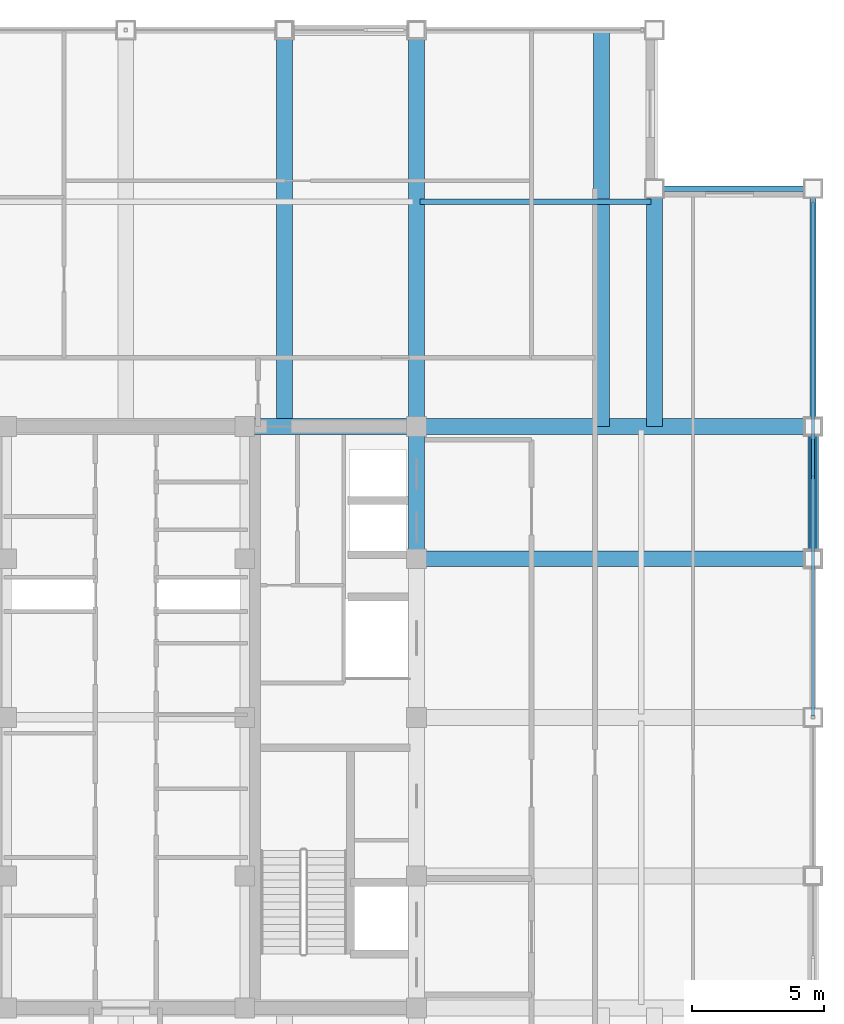
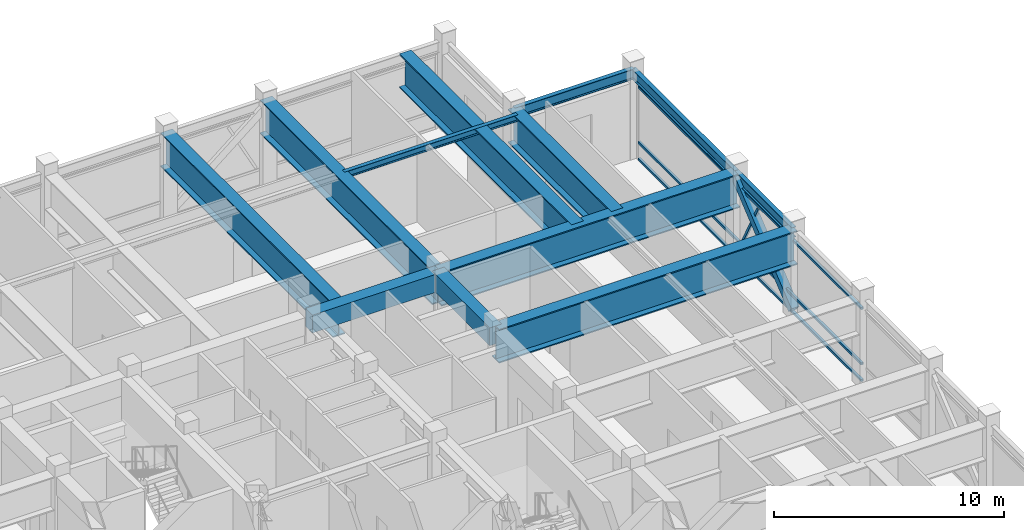
# One storey, part 19 of 29: 12 beams, 5 members, 1 element without a shape of its own.
"""IFC4 building model written with IfcOpenShell, lengths in metres."""

from ifc_helpers import new_model, si_unit, direction, frame, origin, origin_2d, place, context, subcontext, project, spatial, rectangle, hollow_rectangle, i_section, extrude, source, transform, mapped, material, material_profile, profile_set, type_object, element, aggregate, save


model = new_model("IFC4")

# Units and contexts
model_context = context("Model", 3, precision=1e-05, world=origin(), true_north=direction((0.0, 1.0)))
body_context = subcontext(model_context, "Body", "Model", "MODEL_VIEW")
ifc_project = project(units=[si_unit("LENGTHUNIT", "METRE"), si_unit("AREAUNIT", "SQUARE_METRE"), si_unit("VOLUMEUNIT", "CUBIC_METRE"), si_unit("PLANEANGLEUNIT", "RADIAN"), si_unit("MASSUNIT", "GRAM", prefix="KILO")], contexts=[model_context])

# Site, building, storey
site_placement = place(None, origin())
site = spatial("IfcSite", under=ifc_project, at=site_placement, CompositionType="ELEMENT")
building_placement = place(site_placement, origin())
building = spatial("IfcBuilding", under=site, at=building_placement, Name="Khorayat Bourse Tower", CompositionType="ELEMENT")
storey_placement = place(building_placement, frame((0.0, 0.0, 370.300048828125)))
storey = spatial("IfcBuildingStorey", under=building, at=storey_placement, Name="L88", CompositionType="ELEMENT", Elevation=370.300048828125)

# Beams
ifc_material_1 = material(Name="Concrete C60/75", Category="concrete")
ifc_material_profile_1 = material_profile(ifc_material_1, rectangle(XDim=0.60009765625, YDim=0.949951171875, at=origin_2d()), Name="RC 600x950")
ifc_profile_set_1 = profile_set([ifc_material_profile_1], Name="Concrete C60/75")
beam_type_1 = type_object("IfcBeamType", Name="BM-COUP-950", PredefinedType="BEAM", material=ifc_profile_set_1)
shared_shape_1 = source(origin(), body_context, "Body", "SweptSolid", [
    extrude(rectangle(XDim=0.60009765625, YDim=0.949951171875, at=origin_2d()), origin(), (0.0, 0.0, 1.0), 5.0),
])
beam_1_placement = place(storey_placement, frame((11.0, 6.0, 4.125), z_axis=(0.0, 1.0, 0.0), x_axis=(-1.0, 0.0, 0.0)))
element("IfcBeam", 1, at=beam_1_placement, inside=storey, type_object=beam_type_1, Name="L88 BM-COUP-950 BM-L88-CRX-16", PredefinedType="BEAM", context=body_context, shape_type="MappedRepresentation", body=[
    mapped(shared_shape_1, transform((0.0, 0.0, 0.0), scale=1.0)),
])
shared_shape_2 = source(origin(), body_context, "Body", "SweptSolid", [
    extrude(rectangle(XDim=0.60009765625, YDim=0.949951171875, at=origin_2d()), origin(), (0.0, 0.0, 1.0), 6.5),
])
beam_2_placement = place(storey_placement, frame((4.5, 11.0, 4.125), z_axis=(1.0, 0.0, 0.0), x_axis=(0.0, 1.0, 0.0)))
element("IfcBeam", 2, at=beam_2_placement, inside=storey, type_object=beam_type_1, Name="L88 BM-COUP-950 BM-L88-CRY-22", PredefinedType="BEAM", context=body_context, shape_type="MappedRepresentation", body=[
    mapped(shared_shape_2, transform((0.0, 0.0, 0.0), scale=1.0)),
])
ifc_material_2 = material(Name="Steel ASTM A992 Grade 50", Category="steel")
ifc_material_profile_2 = material_profile(ifc_material_2, i_section(OverallWidth=0.214111328125, OverallDepth=0.549072265625, WebThickness=0.0146484375, FlangeThickness=0.023681640625, FilletRadius=0.013916015625, at=origin_2d()), Name="W530X138")
ifc_profile_set_2 = profile_set([ifc_material_profile_2], Name="Steel ASTM A992 Grade 50")
beam_type_2 = type_object("IfcBeamType", Name="BM-SPAN-530", PredefinedType="SPANDREL", material=ifc_profile_set_2)
shared_shape_3 = source(origin(), body_context, "Body", "SweptSolid", [
    extrude(i_section(OverallWidth=0.214111328125, OverallDepth=0.549072265625, WebThickness=0.0146484375, FlangeThickness=0.023681640625, FilletRadius=0.013916015625, at=origin_2d()), origin(), (0.0, 0.0, 1.0), 9.0),
])
beam_3_placement = place(storey_placement, frame((26.0, 11.0, 4.325439453125), z_axis=(0.0, 1.0, 0.0), x_axis=(-1.0, 0.0, 0.0)))
element("IfcBeam", 3, at=beam_3_placement, inside=storey, type_object=beam_type_2, Name="L88 BM-SPAN-530 BM-L88-SPN-037", PredefinedType="SPANDREL", context=body_context, shape_type="MappedRepresentation", body=[
    mapped(shared_shape_3, transform((0.0, 0.0, 0.0), scale=1.0)),
])
shared_shape_4 = source(origin(), body_context, "Body", "SweptSolid", [
    extrude(i_section(OverallWidth=0.214111328125, OverallDepth=0.549072265625, WebThickness=0.0146484375, FlangeThickness=0.023681640625, FilletRadius=0.013916015625, at=origin_2d()), origin(), (0.0, 0.0, 1.0), 5.0),
])
beam_4_placement = place(storey_placement, frame((26.0, 6.0, 4.325439453125), z_axis=(0.0, 1.0, 0.0), x_axis=(-1.0, 0.0, 0.0)))
element("IfcBeam", 4, at=beam_4_placement, inside=storey, type_object=beam_type_2, Name="L88 BM-SPAN-530 BM-L88-SPN-036", PredefinedType="SPANDREL", context=body_context, shape_type="MappedRepresentation", body=[
    mapped(shared_shape_4, transform((0.0, 0.0, 0.0), scale=1.0)),
])
shared_shape_5 = source(origin(), body_context, "Body", "SweptSolid", [
    extrude(i_section(OverallWidth=0.214111328125, OverallDepth=0.549072265625, WebThickness=0.0146484375, FlangeThickness=0.023681640625, FilletRadius=0.013916015625, at=origin_2d()), origin(), (0.0, 0.0, 1.0), 6.0),
])
beam_5_placement = place(storey_placement, frame((20.0, 20.0, 4.325439453125), z_axis=(1.0, 0.0, 0.0), x_axis=(0.0, 1.0, 0.0)))
element("IfcBeam", 5, at=beam_5_placement, inside=storey, type_object=beam_type_2, Name="L88 BM-SPAN-530 BM-L88-SPN-038", PredefinedType="SPANDREL", context=body_context, shape_type="MappedRepresentation", body=[
    mapped(shared_shape_5, transform((0.0, 0.0, 0.0), scale=1.0)),
])
ifc_material_profile_3 = material_profile(ifc_material_2, i_section(OverallWidth=0.202880859375, OverallDepth=0.346923828125, WebThickness=0.0078125, FlangeThickness=0.013427734375, FilletRadius=0.010009765625, at=origin_2d()), Name="W360X64")
ifc_profile_set_3 = profile_set([ifc_material_profile_3], Name="Steel ASTM A992 Grade 50")
beam_type_3 = type_object("IfcBeamType", Name="BM-JOIST-360", PredefinedType="JOIST", material=ifc_profile_set_3)
shared_shape_6 = source(origin(), body_context, "Body", "SweptSolid", [
    extrude(i_section(OverallWidth=0.202880859375, OverallDepth=0.346923828125, WebThickness=0.0078125, FlangeThickness=0.013427734375, FilletRadius=0.010009765625, at=origin_2d()), origin(), (0.0, 0.0, 1.0), 8.740234375),
])
beam_6_placement = place(storey_placement, frame((11.1298828125, 19.5, 4.426513671875), z_axis=(1.0, 0.0, 0.0), x_axis=(0.0, 1.0, 0.0)))
element("IfcBeam", 6, at=beam_6_placement, inside=storey, type_object=beam_type_3, Name="L88 BM-JOIST-360 BM-L88-JSTX-093", PredefinedType="JOIST", context=body_context, shape_type="MappedRepresentation", body=[
    mapped(shared_shape_6, transform((0.0, 0.0, 0.0), scale=1.0)),
])
ifc_material_3 = material(Name="Steel EN 10025-4 S460M", Category="steel")
ifc_material_profile_4 = material_profile(ifc_material_3, i_section(OverallWidth=0.60009765625, OverallDepth=1.800048828125, WebThickness=0.031982421875, FlangeThickness=0.06005859375, at=origin_2d()), Name="PG 1800x600x32x60")
ifc_profile_set_4 = profile_set([ifc_material_profile_4], Name="Steel EN 10025-4 S460M")
beam_type_4 = type_object("IfcBeamType", Name="BM-TR-1800", PredefinedType="BEAM", material=ifc_profile_set_4)
shared_shape_7 = source(origin(), body_context, "Body", "SweptSolid", [
    extrude(i_section(OverallWidth=0.60009765625, OverallDepth=1.800048828125, WebThickness=0.031982421875, FlangeThickness=0.06005859375, at=origin_2d()), origin(), (0.0, 0.0, 1.0), 15.0),
])
for number, where, z_axis, x_axis, name in (
    (7, (6.0, 11.0, 3.699951171875), (0.0, 1.0, 0.0), (-1.0, 0.0, 0.0), "L88 BM-TR-1800 BM-L88-RADY-062"),
    (8, (11.0, 11.0, 3.699951171875), (0.0, 1.0, 0.0), (-1.0, 0.0, 0.0), "L88 BM-TR-1800 BM-L88-RADY-064"),
    (9, (11.0, 6.0, 3.699951171875), (1.0, 0.0, 0.0), (0.0, 1.0, 0.0), "L88 BM-TR-1800 BM-L88-RADX-072"),
    (10, (11.0, 11.0, 3.699951171875), (1.0, 0.0, 0.0), (0.0, 1.0, 0.0), "L88 BM-TR-1800 BM-L88-RADX-074"),
    (11, (18.0, 11.0, 3.699951171875), (0.0, 1.0, 0.0), (-1.0, 0.0, 0.0), "L88 BM-TR-1800 BM-L88-CNRY-079"),
):
    element("IfcBeam", number, at=place(storey_placement, frame(where, z_axis=z_axis, x_axis=x_axis)), inside=storey, type_object=beam_type_4, Name=name, PredefinedType="BEAM", context=body_context, shape_type="MappedRepresentation", body=[
        mapped(shared_shape_7, transform((0.0, 0.0, 0.0), scale=1.0)),
    ])
shared_shape_8 = source(origin(), body_context, "Body", "SweptSolid", [
    extrude(i_section(OverallWidth=0.60009765625, OverallDepth=1.800048828125, WebThickness=0.031982421875, FlangeThickness=0.06005859375, at=origin_2d()), origin(), (0.0, 0.0, 1.0), 9.0),
])
beam_7_placement = place(storey_placement, frame((20.0, 11.0, 3.699951171875), z_axis=(0.0, 1.0, 0.0), x_axis=(-1.0, 0.0, 0.0)))
element("IfcBeam", 12, at=beam_7_placement, inside=storey, type_object=beam_type_4, Name="L88 BM-TR-1800 BM-L88-CNRY-083", PredefinedType="BEAM", context=body_context, shape_type="MappedRepresentation", body=[
    mapped(shared_shape_8, transform((0.0, 0.0, 0.0), scale=1.0)),
])

# Member
ifc_material_profile_5 = material_profile(ifc_material_3, hollow_rectangle(XDim=0.39990234375, YDim=0.39990234375, WallThickness=0.02197265625, at=origin_2d()), Name="HSS 400x400x22")
ifc_profile_set_5 = profile_set([ifc_material_profile_5], Name="Steel EN 10025-4 S460M")
member_type_1 = type_object("IfcMemberType", Name="MBR-TUBE-400", PredefinedType="BRACE", material=ifc_profile_set_5)
shared_shape_9 = source(origin(), body_context, "Body", "SweptSolid", [
    extrude(hollow_rectangle(XDim=0.39990234375, YDim=0.39990234375, WallThickness=0.02197265625, at=origin_2d()), origin(), (0.0, 0.0, 1.0), 6.466064453125),
])
member_1_placement = place(storey_placement, frame((26.0, 6.0, 0.25), z_axis=(0.0, 0.773278898257, 0.634066041916), x_axis=(-1.0, 0.0, 0.0)))
element("IfcMember", 13, at=member_1_placement, inside=storey, type_object=member_type_1, Name="L88 Perimeter Tube Brace 08", PredefinedType="BRACE", context=body_context, shape_type="MappedRepresentation", body=[
    mapped(shared_shape_9, transform((0.0, 0.0, 0.0), scale=1.0)),
])

# Curtain wall, members
ifc_material_4 = material(Name="Aluminium EN AW-6063 T6", Category="aluminium")
curtain_wall_type = type_object("IfcCurtainWallType", Name="CW-SYS-04", PredefinedType="NOTDEFINED", material=ifc_material_4)
curtain_wall_placement = place(storey_placement, origin())
curtain_wall = element("IfcCurtainWall", 14, at=curtain_wall_placement, inside=storey, type_object=curtain_wall_type, Name="L88 Curtain Wall CW-L88-E1", PredefinedType="NOTDEFINED")
ifc_material_profile_6 = material_profile(ifc_material_4, hollow_rectangle(XDim=0.1201171875, YDim=0.1201171875, WallThickness=0.0048828125, at=origin_2d()), Name="ALU 120x120x5")
ifc_profile_set_6 = profile_set([ifc_material_profile_6], Name="Aluminium EN AW-6063 T6")
member_type_2 = type_object("IfcMemberType", Name="CWM-DIAG-120", PredefinedType="MULLION", material=ifc_profile_set_6)
shared_shape_10 = source(origin(), body_context, "Body", "SweptSolid", [
    extrude(hollow_rectangle(XDim=0.1201171875, YDim=0.1201171875, WallThickness=0.0048828125, at=origin_2d()), origin(), (0.0, 0.0, 1.0), 3.006103515625),
])
member_2_placement = place(storey_placement, frame((26.0, 10.469970703125, 1.08984375), z_axis=(0.0, -0.465699569312, 0.884942885808), x_axis=(1.0, 0.0, 0.0)))
member_2 = element("IfcMember", 15, at=member_2_placement, type_object=member_type_2, Name="CW-L88-E1 Faceted Diagonal Mullion 2", PredefinedType="MULLION", context=body_context, shape_type="MappedRepresentation", body=[
    mapped(shared_shape_10, transform((0.0, 0.0, 0.0), scale=1.0)),
])
ifc_material_profile_7 = material_profile(ifc_material_4, hollow_rectangle(XDim=0.1201171875, YDim=0.1201171875, WallThickness=0.0048828125, at=origin_2d()), Name="ALU 120x120x5")
ifc_profile_set_7 = profile_set([ifc_material_profile_7], Name="Aluminium EN AW-6063 T6")
member_type_3 = type_object("IfcMemberType", Name="CWT-HORZ-120", PredefinedType="USERDEFINED", material=ifc_profile_set_7)
shared_shape_11 = source(origin(), body_context, "Body", "SweptSolid", [
    extrude(hollow_rectangle(XDim=0.1201171875, YDim=0.1201171875, WallThickness=0.0048828125, at=origin_2d()), origin(), (0.0, 0.0, 1.0), 19.419921875),
])
member_3_placement = place(storey_placement, frame((26.0, 0.06005859375, 0.06005859375), z_axis=(0.0, 1.0, 0.0), x_axis=(-1.0, 0.0, 0.0)))
member_3 = element("IfcMember", 16, at=member_3_placement, type_object=member_type_3, Name="CW-L88-E1 Horizontal Transom 2-1", ObjectType="TRANSOM", PredefinedType="USERDEFINED", context=body_context, shape_type="MappedRepresentation", body=[
    mapped(shared_shape_11, transform((0.0, 0.0, 0.0), scale=1.0)),
])
member_4_placement = place(storey_placement, frame((26.0, 0.06005859375, 0.949951171875), z_axis=(0.0, 1.0, 0.0), x_axis=(-1.0, 0.0, 0.0)))
member_4 = element("IfcMember", 17, at=member_4_placement, type_object=member_type_3, Name="CW-L88-E1 Horizontal Transom 2-2", ObjectType="TRANSOM", PredefinedType="USERDEFINED", context=body_context, shape_type="MappedRepresentation", body=[
    mapped(shared_shape_11, transform((0.0, 0.0, 0.0), scale=1.0)),
])
member_5_placement = place(storey_placement, frame((26.0, 0.06005859375, 3.889892578125), z_axis=(0.0, 1.0, 0.0), x_axis=(-1.0, 0.0, 0.0)))
member_5 = element("IfcMember", 18, at=member_5_placement, type_object=member_type_3, Name="CW-L88-E1 Horizontal Transom 2-3", ObjectType="TRANSOM", PredefinedType="USERDEFINED", context=body_context, shape_type="MappedRepresentation", body=[
    mapped(shared_shape_11, transform((0.0, 0.0, 0.0), scale=1.0)),
])
aggregate(curtain_wall, [member_3, member_4, member_5, member_2])

save(model, "model.ifc")
